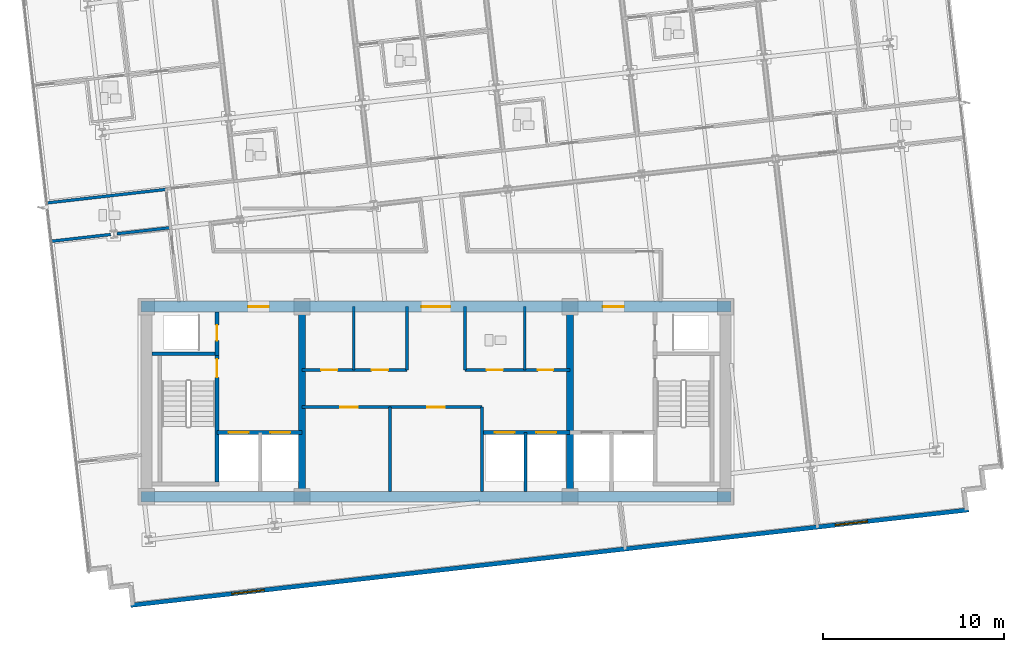
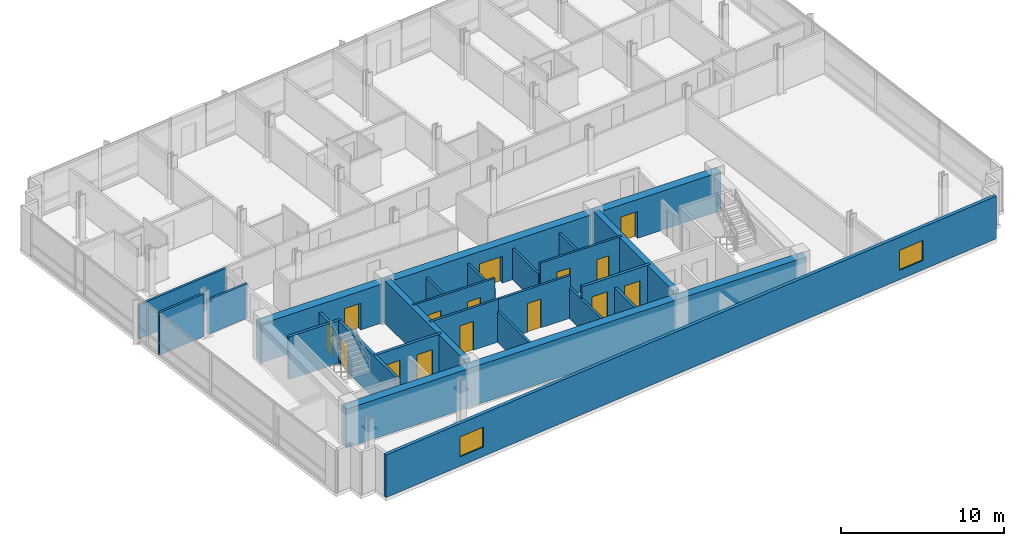
# One storey, part 8 of 17: 24 walls, 15 doors, 2 windows, 17 openings.
"""IFC4 building model written with IfcOpenShell, lengths in metres."""

from ifc_helpers import new_model, si_unit, direction, frame, frame_2d, origin, place, context, subcontext, project, spatial, rectangle, extrude, material, layer, layer_set, type_object, element, fill, save


model = new_model("IFC4")

# Units and contexts
model_context = context("Model", 3, precision=1e-05, world=origin(), true_north=direction((0.0, 1.0)))
body_context = subcontext(model_context, "Body", "Model", "MODEL_VIEW")
ifc_project = project(units=[si_unit("LENGTHUNIT", "METRE"), si_unit("AREAUNIT", "SQUARE_METRE"), si_unit("VOLUMEUNIT", "CUBIC_METRE"), si_unit("PLANEANGLEUNIT", "RADIAN"), si_unit("MASSUNIT", "GRAM", prefix="KILO")], contexts=[model_context])

# Site, building, storey
site_placement = place(None, origin())
site = spatial("IfcSite", under=ifc_project, at=site_placement, CompositionType="ELEMENT")
building_placement = place(site_placement, origin())
building = spatial("IfcBuilding", under=site, at=building_placement, Name="Solmavex Isthmus Hotel", CompositionType="ELEMENT")
storey_placement = place(building_placement, frame((0.0, 0.0, 198.60009765625)))
storey = spatial("IfcBuildingStorey", under=building, at=storey_placement, Name="L53", CompositionType="ELEMENT", Elevation=198.60009765625)

# Wall, openings, windows
ifc_material_1 = material(Name="Precast Concrete C40/50", Category="concrete")
ifc_layer_1 = layer(ifc_material_1, 0.25)
ifc_layer_set_1 = layer_set([ifc_layer_1], Name="Precast Concrete C40/50")
wall_type_1 = type_object("IfcWallType", Name="EW-TWR-250", PredefinedType="STANDARD", material=ifc_layer_set_1)
wall_1_placement = place(storey_placement, frame((-16.86962890625, -18.99951171875, 0.0), z_axis=(0.0, 0.0, 1.0), x_axis=(0.993571588328, 0.113205560228, 0.0)))
wall_1 = element("IfcWall", 1, at=wall_1_placement, inside=storey, type_object=wall_type_1, Name="Tower Rear South Facade Wall L53", PredefinedType="STANDARD", context=body_context, shape_type="SweptSolid", body=[
    extrude(rectangle(XDim=46.60009765625, YDim=0.239990234375, at=frame_2d((23.300048828125, 0.0))), origin(), (0.0, 0.0, 1.0), 3.18994140625),
])
opening_1_placement = place(wall_1_placement, frame((5.6240234375, 0.0, 0.699951171875)))
opening_1 = element("IfcOpeningElement", 2, at=opening_1_placement, cuts=wall_1, Name="Opening WN-02", PredefinedType="OPENING", context=body_context, shape_type="SweptSolid", body=[
    extrude(rectangle(XDim=1.800048828125, YDim=1.5, at=frame_2d((0.89990234375, 0.75))), frame((0.0, 0.1298828125, 0.0), z_axis=(0.0, -1.0, 0.0), x_axis=(1.0, 0.0, 0.0)), (0.0, 0.0, 1.0), 0.260009765625),
])
opening_2_placement = place(wall_1_placement, frame((39.176025390625, 0.0, 0.699951171875)))
opening_2 = element("IfcOpeningElement", 3, at=opening_2_placement, cuts=wall_1, Name="Opening WN-02", PredefinedType="OPENING", context=body_context, shape_type="SweptSolid", body=[
    extrude(rectangle(XDim=1.800048828125, YDim=1.5, at=frame_2d((0.89990234375, 0.75))), frame((0.0, 0.1298828125, 0.0), z_axis=(0.0, -1.0, 0.0), x_axis=(1.0, 0.0, 0.0)), (0.0, 0.0, 1.0), 0.260009765625),
])
ifc_material_2 = material(Name="Clear low-E laminated glass", Category="glass")
window_type = type_object("IfcWindowType", Name="WIN-TWR-1800", PartitioningType="SINGLE_PANEL", PredefinedType="WINDOW", material=ifc_material_2)
window_1_placement = place(opening_1_placement, origin())
window_1 = element("IfcWindow", 4, at=window_1_placement, inside=storey, type_object=window_type, Name="South Facade Vision Window L53-S1", OverallHeight=1.5, OverallWidth=1.800048828125, PartitioningType="SINGLE_PANEL", PredefinedType="WINDOW", context=body_context, shape_type="SweptSolid", body=[
    extrude(rectangle(XDim=1.800048828125, YDim=1.5, at=frame_2d((0.89990234375, 0.75))), frame((0.0, 0.030029296875, 0.0), z_axis=(0.0, -1.0, 0.0), x_axis=(1.0, 0.0, 0.0)), (0.0, 0.0, 1.0), 0.06005859375),
])
fill(opening_1, window_1)
window_2_placement = place(opening_2_placement, origin())
window_2 = element("IfcWindow", 5, at=window_2_placement, inside=storey, type_object=window_type, Name="South Facade Vision Window L53-S2", OverallHeight=1.5, OverallWidth=1.800048828125, PartitioningType="SINGLE_PANEL", PredefinedType="WINDOW", context=body_context, shape_type="SweptSolid", body=[
    extrude(rectangle(XDim=1.800048828125, YDim=1.5, at=frame_2d((0.89990234375, 0.75))), frame((0.0, 0.030029296875, 0.0), z_axis=(0.0, -1.0, 0.0), x_axis=(1.0, 0.0, 0.0)), (0.0, 0.0, 1.0), 0.06005859375),
])
fill(opening_2, window_2)

# Wall, opening, door
ifc_material_3 = material(Name="Gypsum plasterboard lining", Category="gypsum")
ifc_layer_2 = layer(ifc_material_3, 0.159912109375)
ifc_layer_set_2 = layer_set([ifc_layer_2], Name="Gypsum plasterboard lining")
wall_type_2 = type_object("IfcWallType", Name="IW-COMP-160", PredefinedType="PARTITIONING", material=ifc_layer_set_2)
wall_2_placement = place(storey_placement, frame((-7.39990234375, -8.050048828125, 0.0), z_axis=(0.0, 0.0, 1.0), x_axis=(1.0, 0.0, 0.0)))
wall_2 = element("IfcWall", 6, at=wall_2_placement, inside=storey, type_object=wall_type_2, Name="Interior Partition Wall W-L53-REC-PLL-N", PredefinedType="PARTITIONING", context=body_context, shape_type="SweptSolid", body=[
    extrude(rectangle(XDim=4.849853515625, YDim=0.159912109375, at=frame_2d((2.4248046875, 0.0))), origin(), (0.0, 0.0, 1.0), 3.18994140625),
])
opening_3_placement = place(wall_2_placement, frame((2.125, 0.0, 0.0)))
opening_3 = element("IfcOpeningElement", 7, at=opening_3_placement, cuts=wall_2, Name="Opening ID-C095", PredefinedType="OPENING", context=body_context, shape_type="SweptSolid", body=[
    extrude(rectangle(XDim=0.949951171875, YDim=2.14990234375, at=frame_2d((0.47509765625, 1.074951171875))), frame((0.0, 0.08984375, 0.0), z_axis=(0.0, -1.0, 0.0), x_axis=(1.0, 0.0, 0.0)), (0.0, 0.0, 1.0), 0.179931640625),
])
ifc_material_4 = material(Name="Hardwood timber", Category="wood")
door_type_1 = type_object("IfcDoorType", Name="IDR-FD60-0950", OperationType="NOTDEFINED", PredefinedType="DOOR", material=ifc_material_4)
door_1_placement = place(opening_3_placement, origin())
door_1 = element("IfcDoor", 8, at=door_1_placement, inside=storey, type_object=door_type_1, Name="Linen Reserve Door L53", OperationType="SINGLE_SWING_LEFT", OverallHeight=2.14990234375, OverallWidth=0.949951171875, PredefinedType="DOOR", context=body_context, shape_type="SweptSolid", body=[
    extrude(rectangle(XDim=0.949951171875, YDim=2.14990234375, at=frame_2d((0.47509765625, 1.074951171875))), frame((0.0, 0.02490234375, 0.0), z_axis=(0.0, -1.0, 0.0), x_axis=(1.0, 0.0, 0.0)), (0.0, 0.0, 1.0), 0.050048828125),
])
fill(opening_3, door_1)

# Wall
wall_3_placement = place(storey_placement, frame((-2.550048828125, -12.699951171875, 0.0), z_axis=(0.0, 0.0, 1.0), x_axis=(0.0, 1.0, 0.0)))
element("IfcWall", 9, at=wall_3_placement, inside=storey, type_object=wall_type_2, Name="Interior Partition Wall W-L53-REC-PLL-E", PredefinedType="PARTITIONING", context=body_context, shape_type="SweptSolid", body=[
    extrude(rectangle(XDim=4.64990234375, YDim=0.159912109375, at=frame_2d((2.324951171875, 0.0))), origin(), (0.0, 0.0, 1.0), 2.324951171875),
])

# Wall, opening, door
wall_4_placement = place(storey_placement, frame((-2.550048828125, -8.050048828125, 0.0), z_axis=(0.0, 0.0, 1.0), x_axis=(1.0, 0.0, 0.0)))
wall_4 = element("IfcWall", 10, at=wall_4_placement, inside=storey, type_object=wall_type_2, Name="Interior Partition Wall W-L53-REC-PLM-N", PredefinedType="PARTITIONING", context=body_context, shape_type="SweptSolid", body=[
    extrude(rectangle(XDim=5.10009765625, YDim=0.159912109375, at=frame_2d((2.550048828125, 0.0))), origin(), (0.0, 0.0, 1.0), 3.18994140625),
])
opening_4_placement = place(wall_4_placement, frame((2.074951171875, 0.0, 0.0)))
opening_4 = element("IfcOpeningElement", 11, at=opening_4_placement, cuts=wall_4, Name="Opening ID-C095", PredefinedType="OPENING", context=body_context, shape_type="SweptSolid", body=[
    extrude(rectangle(XDim=0.949951171875, YDim=2.14990234375, at=frame_2d((0.47509765625, 1.074951171875))), frame((0.0, 0.08984375, 0.0), z_axis=(0.0, -1.0, 0.0), x_axis=(1.0, 0.0, 0.0)), (0.0, 0.0, 1.0), 0.179931640625),
])
door_2_placement = place(opening_4_placement, origin())
door_2 = element("IfcDoor", 12, at=door_2_placement, inside=storey, type_object=door_type_1, Name="Butler Store Door L53", OperationType="SINGLE_SWING_RIGHT", OverallHeight=2.14990234375, OverallWidth=0.949951171875, PredefinedType="DOOR", context=body_context, shape_type="SweptSolid", body=[
    extrude(rectangle(XDim=0.949951171875, YDim=2.14990234375, at=frame_2d((0.47509765625, 1.074951171875))), frame((0.0, 0.02490234375, 0.0), z_axis=(0.0, -1.0, 0.0), x_axis=(1.0, 0.0, 0.0)), (0.0, 0.0, 1.0), 0.050048828125),
])
fill(opening_4, door_2)

# Walls
wall_5_placement = place(storey_placement, frame((2.550048828125, -12.699951171875, 0.0), z_axis=(0.0, 0.0, 1.0), x_axis=(0.0, 1.0, 0.0)))
element("IfcWall", 13, at=wall_5_placement, inside=storey, type_object=wall_type_2, Name="Interior Partition Wall W-L53-REC-PLM-E", PredefinedType="PARTITIONING", context=body_context, shape_type="SweptSolid", body=[
    extrude(rectangle(XDim=4.64990234375, YDim=0.159912109375, at=frame_2d((2.324951171875, 0.0))), origin(), (0.0, 0.0, 1.0), 2.324951171875),
])
wall_6_placement = place(storey_placement, frame((-14.86865234375, 3.98486328125, 0.0), z_axis=(0.0, 0.0, 1.0), x_axis=(-0.993568743641, -0.113230524415, 0.0)))
element("IfcWall", 14, at=wall_6_placement, inside=storey, type_object=wall_type_2, Name="Interior Partition Wall W-L53-P032", PredefinedType="PARTITIONING", context=body_context, shape_type="SweptSolid", body=[
    extrude(rectangle(XDim=6.7099609375, YDim=0.159912109375, at=frame_2d((3.35498046875, 0.0))), origin(), (0.0, 0.0, 1.0), 2.557373046875),
])
wall_7_placement = place(storey_placement, frame((-17.97216796875, 1.4873046875, 0.0), z_axis=(0.0, 0.0, 1.0), x_axis=(-0.993575433752, -0.113171804991, 0.0)))
element("IfcWall", 15, at=wall_7_placement, inside=storey, type_object=wall_type_2, Name="Interior Partition Wall W-L53-P080", PredefinedType="PARTITIONING", context=body_context, shape_type="SweptSolid", body=[
    extrude(rectangle(XDim=3.34375, YDim=0.159912109375, at=frame_2d((1.671875, 0.0))), origin(), (0.0, 0.0, 1.0), 3.18994140625),
])
wall_8_placement = place(storey_placement, frame((-14.62744140625, 1.868408203125, 0.0), z_axis=(0.0, 0.0, 1.0), x_axis=(-0.993574646464, -0.113178716659, 0.0)))
element("IfcWall", 16, at=wall_8_placement, inside=storey, type_object=wall_type_2, Name="Interior Partition Wall W-L53-P081", PredefinedType="PARTITIONING", context=body_context, shape_type="SweptSolid", body=[
    extrude(rectangle(XDim=3.013427734375, YDim=0.159912109375, at=frame_2d((1.5068359375, 0.0))), origin(), (0.0, 0.0, 1.0), 2.572265625),
])

# Wall, openings, doors
ifc_layer_3 = layer(ifc_material_3, 0.14990234375)
ifc_layer_set_3 = layer_set([ifc_layer_3], Name="Gypsum plasterboard lining")
wall_type_3 = type_object("IfcWallType", Name="IW-CORR-150", PredefinedType="PARTITIONING", material=ifc_layer_set_3)
wall_9_placement = place(storey_placement, frame((-7.39990234375, -6.0, 0.0), z_axis=(0.0, 0.0, 1.0), x_axis=(1.0, 0.0, 0.0)))
wall_9 = element("IfcWall", 17, at=wall_9_placement, inside=storey, type_object=wall_type_3, Name="Interior Partition Wall W-L53-BOH-WS", PredefinedType="PARTITIONING", context=body_context, shape_type="SweptSolid", body=[
    extrude(rectangle(XDim=5.7998046875, YDim=0.14990234375, at=frame_2d((2.89990234375, 0.0))), origin(), (0.0, 0.0, 1.0), 3.18994140625),
])
opening_5_placement = place(wall_9_placement, frame((1.050048828125, 0.0, 0.0)))
opening_5 = element("IfcOpeningElement", 18, at=opening_5_placement, cuts=wall_9, Name="Opening ID-C090", PredefinedType="OPENING", context=body_context, shape_type="SweptSolid", body=[
    extrude(rectangle(XDim=0.89990234375, YDim=2.10009765625, at=frame_2d((0.449951171875, 1.050048828125))), frame((0.0, 0.0849609375, 0.0), z_axis=(0.0, -1.0, 0.0), x_axis=(1.0, 0.0, 0.0)), (0.0, 0.0, 1.0), 0.169921875),
])
opening_6_placement = place(wall_9_placement, frame((3.85009765625, 0.0, 0.0)))
opening_6 = element("IfcOpeningElement", 19, at=opening_6_placement, cuts=wall_9, Name="Opening ID-C090", PredefinedType="OPENING", context=body_context, shape_type="SweptSolid", body=[
    extrude(rectangle(XDim=0.89990234375, YDim=2.10009765625, at=frame_2d((0.449951171875, 1.050048828125))), frame((0.0, 0.0849609375, 0.0), z_axis=(0.0, -1.0, 0.0), x_axis=(1.0, 0.0, 0.0)), (0.0, 0.0, 1.0), 0.169921875),
])
door_type_2 = type_object("IfcDoorType", Name="IDR-FD60-0900", OperationType="NOTDEFINED", PredefinedType="DOOR", material=ifc_material_4)
door_3_placement = place(opening_5_placement, frame((0.89990234375, 0.0, 0.0), z_axis=(0.0, 0.0, 1.0), x_axis=(-1.0, 0.0, 0.0)))
door_3 = element("IfcDoor", 20, at=door_3_placement, inside=storey, type_object=door_type_2, Name="Linen Room Door L53", OperationType="SINGLE_SWING_LEFT", OverallHeight=2.10009765625, OverallWidth=0.89990234375, PredefinedType="DOOR", context=body_context, shape_type="SweptSolid", body=[
    extrude(rectangle(XDim=0.89990234375, YDim=2.10009765625, at=frame_2d((0.449951171875, 1.050048828125))), frame((0.0, 0.02490234375, 0.0), z_axis=(0.0, -1.0, 0.0), x_axis=(1.0, 0.0, 0.0)), (0.0, 0.0, 1.0), 0.050048828125),
])
fill(opening_5, door_3)
door_4_placement = place(opening_6_placement, frame((0.89990234375, 0.0, 0.0), z_axis=(0.0, 0.0, 1.0), x_axis=(-1.0, 0.0, 0.0)))
door_4 = element("IfcDoor", 21, at=door_4_placement, inside=storey, type_object=door_type_2, Name="Ice Pantry Door L53", OperationType="SINGLE_SWING_RIGHT", OverallHeight=2.10009765625, OverallWidth=0.89990234375, PredefinedType="DOOR", context=body_context, shape_type="SweptSolid", body=[
    extrude(rectangle(XDim=0.89990234375, YDim=2.10009765625, at=frame_2d((0.449951171875, 1.050048828125))), frame((0.0, 0.02490234375, 0.0), z_axis=(0.0, -1.0, 0.0), x_axis=(1.0, 0.0, 0.0)), (0.0, 0.0, 1.0), 0.050048828125),
])
fill(opening_6, door_4)

# Wall
wall_10_placement = place(storey_placement, frame((-1.60009765625, -6.0, 0.0), z_axis=(0.0, 0.0, 1.0), x_axis=(0.0, 1.0, 0.0)))
element("IfcWall", 22, at=wall_10_placement, inside=storey, type_object=wall_type_3, Name="Interior Partition Wall W-L53-BOH-WE", PredefinedType="PARTITIONING", context=body_context, shape_type="SweptSolid", body=[
    extrude(rectangle(XDim=3.5, YDim=0.14990234375, at=frame_2d((1.75, 0.0))), origin(), (0.0, 0.0, 1.0), 2.324951171875),
])

# Wall, openings, doors
wall_11_placement = place(storey_placement, frame((1.60009765625, -6.0, 0.0), z_axis=(0.0, 0.0, 1.0), x_axis=(1.0, 0.0, 0.0)))
wall_11 = element("IfcWall", 23, at=wall_11_placement, inside=storey, type_object=wall_type_3, Name="Interior Partition Wall W-L53-BOH-ES", PredefinedType="PARTITIONING", context=body_context, shape_type="SweptSolid", body=[
    extrude(rectangle(XDim=5.7998046875, YDim=0.14990234375, at=frame_2d((2.89990234375, 0.0))), origin(), (0.0, 0.0, 1.0), 3.18994140625),
])
opening_7_placement = place(wall_11_placement, frame((1.199951171875, 0.0, 0.0)))
opening_7 = element("IfcOpeningElement", 24, at=opening_7_placement, cuts=wall_11, Name="Opening ID-C090", PredefinedType="OPENING", context=body_context, shape_type="SweptSolid", body=[
    extrude(rectangle(XDim=0.89990234375, YDim=2.10009765625, at=frame_2d((0.449951171875, 1.050048828125))), frame((0.0, 0.0849609375, 0.0), z_axis=(0.0, -1.0, 0.0), x_axis=(1.0, 0.0, 0.0)), (0.0, 0.0, 1.0), 0.169921875),
])
opening_8_placement = place(wall_11_placement, frame((4.02490234375, 0.0, 0.0)))
opening_8 = element("IfcOpeningElement", 25, at=opening_8_placement, cuts=wall_11, Name="Opening ID-R085", PredefinedType="OPENING", context=body_context, shape_type="SweptSolid", body=[
    extrude(rectangle(XDim=0.85009765625, YDim=2.050048828125, at=frame_2d((0.425048828125, 1.02490234375))), frame((0.0, 0.0849609375, 0.0), z_axis=(0.0, -1.0, 0.0), x_axis=(1.0, 0.0, 0.0)), (0.0, 0.0, 1.0), 0.169921875),
])
ifc_material_5 = material(Name="Steel ASTM A500 Grade C", Category="steel")
door_type_3 = type_object("IfcDoorType", Name="IDR-FD60-0850", OperationType="NOTDEFINED", PredefinedType="DOOR", material=ifc_material_5)
door_5_placement = place(opening_8_placement, frame((0.85009765625, 0.0, 0.0), z_axis=(0.0, 0.0, 1.0), x_axis=(-1.0, 0.0, 0.0)))
door_5 = element("IfcDoor", 26, at=door_5_placement, inside=storey, type_object=door_type_3, Name="IT Room Door L53", OperationType="SINGLE_SWING_RIGHT", OverallHeight=2.050048828125, OverallWidth=0.85009765625, PredefinedType="DOOR", context=body_context, shape_type="SweptSolid", body=[
    extrude(rectangle(XDim=0.85009765625, YDim=2.050048828125, at=frame_2d((0.425048828125, 1.02490234375))), frame((0.0, 0.02490234375, 0.0), z_axis=(0.0, -1.0, 0.0), x_axis=(1.0, 0.0, 0.0)), (0.0, 0.0, 1.0), 0.050048828125),
])
fill(opening_8, door_5)
door_6_placement = place(opening_7_placement, frame((0.89990234375, 0.0, 0.0), z_axis=(0.0, 0.0, 1.0), x_axis=(-1.0, 0.0, 0.0)))
door_6 = element("IfcDoor", 27, at=door_6_placement, inside=storey, type_object=door_type_2, Name="Staff Restroom Door L53", OperationType="SINGLE_SWING_LEFT", OverallHeight=2.10009765625, OverallWidth=0.89990234375, PredefinedType="DOOR", context=body_context, shape_type="SweptSolid", body=[
    extrude(rectangle(XDim=0.89990234375, YDim=2.10009765625, at=frame_2d((0.449951171875, 1.050048828125))), frame((0.0, 0.02490234375, 0.0), z_axis=(0.0, -1.0, 0.0), x_axis=(1.0, 0.0, 0.0)), (0.0, 0.0, 1.0), 0.050048828125),
])
fill(opening_7, door_6)

# Walls
wall_12_placement = place(storey_placement, frame((1.60009765625, -6.0, 0.0), z_axis=(0.0, 0.0, 1.0), x_axis=(0.0, 1.0, 0.0)))
element("IfcWall", 28, at=wall_12_placement, inside=storey, type_object=wall_type_3, Name="Interior Partition Wall W-L53-BOH-EW", PredefinedType="PARTITIONING", context=body_context, shape_type="SweptSolid", body=[
    extrude(rectangle(XDim=3.5, YDim=0.14990234375, at=frame_2d((1.75, 0.0))), origin(), (0.0, 0.0, 1.0), 2.324951171875),
])
ifc_layer_4 = layer(ifc_material_3, 0.1201171875)
ifc_layer_set_4 = layer_set([ifc_layer_4], Name="Gypsum plasterboard lining")
wall_type_4 = type_object("IfcWallType", Name="IW-PART-120", PredefinedType="PARTITIONING", material=ifc_layer_set_4)
for number, where, z_axis, x_axis, name in (
    (29, (-4.550048828125, -6.0, 0.0), (0.0, 0.0, 1.0), (0.0, 1.0, 0.0), "Interior Partition Wall W-L53-BOH-WM2"),
    (30, (4.89990234375, -6.0, 0.0), (0.0, 0.0, 1.0), (0.0, 1.0, 0.0), "Interior Partition Wall W-L53-BOH-EM2"),
):
    element("IfcWall", number, at=place(storey_placement, frame(where, z_axis=z_axis, x_axis=x_axis)), inside=storey, type_object=wall_type_4, Name=name, PredefinedType="PARTITIONING", context=body_context, shape_type="SweptSolid", body=[
        extrude(rectangle(XDim=3.5, YDim=0.14990234375, at=frame_2d((1.75, 0.0))), origin(), (0.0, 0.0, 1.0), 2.324951171875),
    ])
ifc_material_6 = material(Name="Concrete C40/50", Category="concrete")
ifc_layer_5 = layer(ifc_material_6, 0.179931640625)
ifc_layer_set_5 = layer_set([ifc_layer_5], Name="Concrete C40/50")
wall_type_5 = type_object("IfcWallType", Name="IW-SHAFT-180", PredefinedType="PARTITIONING", material=ifc_layer_set_5)
wall_13_placement = place(storey_placement, frame((4.949951171875, -12.699951171875, 0.0), z_axis=(0.0, 0.0, 1.0), x_axis=(0.0, 1.0, 0.0)))
element("IfcWall", 31, at=wall_13_placement, inside=storey, type_object=wall_type_5, Name="Interior Partition Wall W-L53-SH-PLH-M", PredefinedType="PARTITIONING", context=body_context, shape_type="SweptSolid", body=[
    extrude(rectangle(XDim=3.25, YDim=0.179931640625, at=frame_2d((1.625, 0.0))), origin(), (0.0, 0.0, 1.0), 2.324951171875),
])

# Wall, opening, door
ifc_layer_6 = layer(ifc_material_6, 0.199951171875)
ifc_layer_set_6 = layer_set([ifc_layer_6], Name="Concrete C40/50")
wall_type_6 = type_object("IfcWallType", Name="IW-SHAFT-200", PredefinedType="PARTITIONING", material=ifc_layer_set_6)
wall_14_placement = place(storey_placement, frame((-12.10009765625, -5.199951171875, 0.0), z_axis=(0.0, 0.0, 1.0), x_axis=(0.0, 1.0, 0.0)))
wall_14 = element("IfcWall", 32, at=wall_14_placement, inside=storey, type_object=wall_type_6, Name="Interior Partition Wall W-L53-RSW-E", PredefinedType="PARTITIONING", context=body_context, shape_type="SweptSolid", body=[
    extrude(rectangle(XDim=2.39990234375, YDim=0.199951171875, at=frame_2d((1.199951171875, 0.0))), origin(), (0.0, 0.0, 1.0), 2.324951171875),
])
opening_9_placement = place(wall_14_placement, frame((0.824951171875, 0.0, 0.0)))
opening_9 = element("IfcOpeningElement", 33, at=opening_9_placement, cuts=wall_14, Name="Opening ID-R085", PredefinedType="OPENING", context=body_context, shape_type="SweptSolid", body=[
    extrude(rectangle(XDim=0.85009765625, YDim=2.050048828125, at=frame_2d((0.425048828125, 1.02490234375))), frame((0.0, 0.10986328125, 0.0), z_axis=(0.0, -1.0, 0.0), x_axis=(1.0, 0.0, 0.0)), (0.0, 0.0, 1.0), 0.219970703125),
])
door_7_placement = place(opening_9_placement, origin())
door_7 = element("IfcDoor", 34, at=door_7_placement, inside=storey, type_object=door_type_3, Name="Electrical Riser Door L53", OperationType="SINGLE_SWING_RIGHT", OverallHeight=2.050048828125, OverallWidth=0.85009765625, PredefinedType="DOOR", context=body_context, shape_type="SweptSolid", body=[
    extrude(rectangle(XDim=0.85009765625, YDim=2.050048828125, at=frame_2d((0.425048828125, 1.02490234375))), frame((0.0, 0.02490234375, 0.0), z_axis=(0.0, -1.0, 0.0), x_axis=(1.0, 0.0, 0.0)), (0.0, 0.0, 1.0), 0.050048828125),
])
fill(opening_9, door_7)

# Wall, openings, doors
wall_15_placement = place(storey_placement, frame((-12.10009765625, -9.449951171875, 0.0), z_axis=(0.0, 0.0, 1.0), x_axis=(1.0, 0.0, 0.0)))
wall_15 = element("IfcWall", 35, at=wall_15_placement, inside=storey, type_object=wall_type_6, Name="Interior Partition Wall W-L53-FFLW-S", PredefinedType="PARTITIONING", context=body_context, shape_type="SweptSolid", body=[
    extrude(rectangle(XDim=4.7001953125, YDim=0.199951171875, at=frame_2d((2.35009765625, 0.0))), origin(), (0.0, 0.0, 1.0), 3.18994140625),
])
opening_10_placement = place(wall_15_placement, frame((0.64990234375, 0.0, 0.0)))
opening_10 = element("IfcOpeningElement", 36, at=opening_10_placement, cuts=wall_15, Name="Opening LD-FF", PredefinedType="OPENING", context=body_context, shape_type="SweptSolid", body=[
    extrude(rectangle(XDim=1.10009765625, YDim=2.199951171875, at=frame_2d((0.550048828125, 1.10009765625))), frame((0.0, 0.10986328125, 0.0), z_axis=(0.0, -1.0, 0.0), x_axis=(1.0, 0.0, 0.0)), (0.0, 0.0, 1.0), 0.219970703125),
])
opening_11_placement = place(wall_15_placement, frame((2.949951171875, 0.0, 0.0)))
opening_11 = element("IfcOpeningElement", 37, at=opening_11_placement, cuts=wall_15, Name="Opening LD-SV", PredefinedType="OPENING", context=body_context, shape_type="SweptSolid", body=[
    extrude(rectangle(XDim=1.10009765625, YDim=2.199951171875, at=frame_2d((0.550048828125, 1.10009765625))), frame((0.0, 0.10986328125, 0.0), z_axis=(0.0, -1.0, 0.0), x_axis=(1.0, 0.0, 0.0)), (0.0, 0.0, 1.0), 0.219970703125),
])
ifc_material_7 = material(Name="Stainless steel 316", Category="steel")
door_type_4 = type_object("IfcDoorType", Name="LDR-FF-1100", OperationType="NOTDEFINED", PredefinedType="DOOR", material=ifc_material_7)
door_8_placement = place(opening_10_placement, origin())
door_8 = element("IfcDoor", 38, at=door_8_placement, inside=storey, type_object=door_type_4, Name="Lift Landing Door FFL-1 L53", OperationType="SLIDING_TO_LEFT", OverallHeight=2.199951171875, OverallWidth=1.10009765625, PredefinedType="DOOR", context=body_context, shape_type="SweptSolid", body=[
    extrude(rectangle(XDim=1.10009765625, YDim=2.199951171875, at=frame_2d((0.550048828125, 1.10009765625))), frame((0.0, 0.02490234375, 0.0), z_axis=(0.0, -1.0, 0.0), x_axis=(1.0, 0.0, 0.0)), (0.0, 0.0, 1.0), 0.050048828125),
])
fill(opening_10, door_8)
door_type_5 = type_object("IfcDoorType", Name="LDR-SV-1100", OperationType="NOTDEFINED", PredefinedType="DOOR", material=ifc_material_7)
door_9_placement = place(opening_11_placement, origin())
door_9 = element("IfcDoor", 39, at=door_9_placement, inside=storey, type_object=door_type_5, Name="Lift Landing Door SVL-1 L53", OperationType="SLIDING_TO_RIGHT", OverallHeight=2.199951171875, OverallWidth=1.10009765625, PredefinedType="DOOR", context=body_context, shape_type="SweptSolid", body=[
    extrude(rectangle(XDim=1.10009765625, YDim=2.199951171875, at=frame_2d((0.550048828125, 1.10009765625))), frame((0.0, 0.02490234375, 0.0), z_axis=(0.0, -1.0, 0.0), x_axis=(1.0, 0.0, 0.0)), (0.0, 0.0, 1.0), 0.050048828125),
])
fill(opening_11, door_9)

wall_16_placement = place(storey_placement, frame((2.550048828125, -9.449951171875, 0.0), z_axis=(0.0, 0.0, 1.0), x_axis=(1.0, 0.0, 0.0)))
wall_16 = element("IfcWall", 40, at=wall_16_placement, inside=storey, type_object=wall_type_6, Name="Interior Partition Wall W-L53-SH-PLH", PredefinedType="PARTITIONING", context=body_context, shape_type="SweptSolid", body=[
    extrude(rectangle(XDim=4.849853515625, YDim=0.199951171875, at=frame_2d((2.4248046875, 0.0))), origin(), (0.0, 0.0, 1.0), 3.18994140625),
])
opening_12_placement = place(wall_16_placement, frame((0.699951171875, 0.0, 0.0)))
opening_12 = element("IfcOpeningElement", 41, at=opening_12_placement, cuts=wall_16, Name="Opening LD-PL", PredefinedType="OPENING", context=body_context, shape_type="SweptSolid", body=[
    extrude(rectangle(XDim=1.10009765625, YDim=2.199951171875, at=frame_2d((0.550048828125, 1.10009765625))), frame((0.0, 0.10986328125, 0.0), z_axis=(0.0, -1.0, 0.0), x_axis=(1.0, 0.0, 0.0)), (0.0, 0.0, 1.0), 0.219970703125),
])
opening_13_placement = place(wall_16_placement, frame((3.0, 0.0, 0.0)))
opening_13 = element("IfcOpeningElement", 42, at=opening_13_placement, cuts=wall_16, Name="Opening LD-PL", PredefinedType="OPENING", context=body_context, shape_type="SweptSolid", body=[
    extrude(rectangle(XDim=1.10009765625, YDim=2.199951171875, at=frame_2d((0.550048828125, 1.10009765625))), frame((0.0, 0.10986328125, 0.0), z_axis=(0.0, -1.0, 0.0), x_axis=(1.0, 0.0, 0.0)), (0.0, 0.0, 1.0), 0.219970703125),
])
door_type_6 = type_object("IfcDoorType", Name="LDR-PL-1100", OperationType="NOTDEFINED", PredefinedType="DOOR", material=ifc_material_7)
door_10_placement = place(opening_12_placement, origin())
door_10 = element("IfcDoor", 43, at=door_10_placement, inside=storey, type_object=door_type_6, Name="Lift Landing Door PLH1 L53", OperationType="SLIDING_TO_LEFT", OverallHeight=2.199951171875, OverallWidth=1.10009765625, PredefinedType="DOOR", context=body_context, shape_type="SweptSolid", body=[
    extrude(rectangle(XDim=1.10009765625, YDim=2.199951171875, at=frame_2d((0.550048828125, 1.10009765625))), frame((0.0, 0.02490234375, 0.0), z_axis=(0.0, -1.0, 0.0), x_axis=(1.0, 0.0, 0.0)), (0.0, 0.0, 1.0), 0.050048828125),
])
fill(opening_12, door_10)
door_11_placement = place(opening_13_placement, origin())
door_11 = element("IfcDoor", 44, at=door_11_placement, inside=storey, type_object=door_type_6, Name="Lift Landing Door PLH2 L53", OperationType="SLIDING_TO_LEFT", OverallHeight=2.199951171875, OverallWidth=1.10009765625, PredefinedType="DOOR", context=body_context, shape_type="SweptSolid", body=[
    extrude(rectangle(XDim=1.10009765625, YDim=2.199951171875, at=frame_2d((0.550048828125, 1.10009765625))), frame((0.0, 0.02490234375, 0.0), z_axis=(0.0, -1.0, 0.0), x_axis=(1.0, 0.0, 0.0)), (0.0, 0.0, 1.0), 0.050048828125),
])
fill(opening_13, door_11)

# Walls
ifc_material_8 = material(Name="Concrete C50/60", Category="concrete")
ifc_layer_7 = layer(ifc_material_8, 0.39990234375)
ifc_layer_set_7 = layer_set([ifc_layer_7], Name="Concrete C50/60")
wall_type_7 = type_object("IfcWallType", Name="WALL-CW-400H", PredefinedType="SHEAR", material=ifc_layer_set_7)
for number, where, z_axis, x_axis, name in (
    (45, (-7.39990234375, -12.699951171875, 0.0), (0.0, 0.0, 1.0), (0.0, 1.0, 0.0), "Core Cross Shear Wall C1 L53"),
    (46, (7.39990234375, -12.699951171875, 0.0), (0.0, 0.0, 1.0), (0.0, 1.0, 0.0), "Core Cross Shear Wall C2 L53"),
):
    element("IfcWall", number, at=place(storey_placement, frame(where, z_axis=z_axis, x_axis=x_axis)), inside=storey, type_object=wall_type_7, Name=name, PredefinedType="SHEAR", context=body_context, shape_type="SweptSolid", body=[
        extrude(rectangle(XDim=9.89990234375, YDim=0.39990234375, at=frame_2d((4.949951171875, 0.0))), origin(), (0.0, 0.0, 1.0), 3.18994140625),
    ])
ifc_layer_8 = layer(ifc_material_8, 0.60009765625)
ifc_layer_set_8 = layer_set([ifc_layer_8], Name="Concrete C50/60")
wall_type_8 = type_object("IfcWallType", Name="WALL-CW-600", PredefinedType="SHEAR", material=ifc_layer_set_8)
wall_17_placement = place(storey_placement, frame((-16.300048828125, -13.0, 0.0), z_axis=(0.0, 0.0, 1.0), x_axis=(1.0, 0.0, 0.0)))
element("IfcWall", 47, at=wall_17_placement, inside=storey, type_object=wall_type_8, Name="Core Shear Wall South L53", PredefinedType="SHEAR", context=body_context, shape_type="SweptSolid", body=[
    extrude(rectangle(XDim=32.60009765625, YDim=0.60009765625, at=frame_2d((16.300048828125, 0.0))), origin(), (0.0, 0.0, 1.0), 2.909912109375),
])

# Wall, openings, doors
wall_18_placement = place(storey_placement, frame((-16.300048828125, -2.5, 0.0), z_axis=(0.0, 0.0, 1.0), x_axis=(1.0, 0.0, 0.0)))
wall_18 = element("IfcWall", 48, at=wall_18_placement, inside=storey, type_object=wall_type_8, Name="Core Shear Wall North L53", PredefinedType="SHEAR", context=body_context, shape_type="SweptSolid", body=[
    extrude(rectangle(XDim=32.60009765625, YDim=0.60009765625, at=frame_2d((16.300048828125, 0.0))), origin(), (0.0, 0.0, 1.0), 2.909912109375),
])
opening_14_placement = place(wall_18_placement, frame((5.925048828125, 0.0, 0.0)))
opening_14 = element("IfcOpeningElement", 49, at=opening_14_placement, cuts=wall_18, Name="Opening ID-F915", PredefinedType="OPENING", context=body_context, shape_type="SweptSolid", body=[
    extrude(rectangle(XDim=1.14990234375, YDim=2.0, at=frame_2d((0.574951171875, 1.0))), frame((0.0, 0.31005859375, 0.0), z_axis=(0.0, -1.0, 0.0), x_axis=(1.0, 0.0, 0.0)), (0.0, 0.0, 1.0), 0.6201171875),
])
opening_15_placement = place(wall_18_placement, frame((15.5, 0.0, 0.0)))
opening_15 = element("IfcOpeningElement", 50, at=opening_15_placement, cuts=wall_18, Name="Opening ID-F960", PredefinedType="OPENING", context=body_context, shape_type="SweptSolid", body=[
    extrude(rectangle(XDim=1.60009765625, YDim=2.0, at=frame_2d((0.800048828125, 1.0))), frame((0.0, 0.31005859375, 0.0), z_axis=(0.0, -1.0, 0.0), x_axis=(1.0, 0.0, 0.0)), (0.0, 0.0, 1.0), 0.6201171875),
])
opening_16_placement = place(wall_18_placement, frame((25.52490234375, 0.0, 0.0)))
opening_16 = element("IfcOpeningElement", 51, at=opening_16_placement, cuts=wall_18, Name="Opening ID-F915", PredefinedType="OPENING", context=body_context, shape_type="SweptSolid", body=[
    extrude(rectangle(XDim=1.14990234375, YDim=2.0, at=frame_2d((0.574951171875, 1.0))), frame((0.0, 0.31005859375, 0.0), z_axis=(0.0, -1.0, 0.0), x_axis=(1.0, 0.0, 0.0)), (0.0, 0.0, 1.0), 0.6201171875),
])
door_type_7 = type_object("IfcDoorType", Name="IDR-FD90-1150C", OperationType="NOTDEFINED", PredefinedType="DOOR", material=ifc_material_5)
door_12_placement = place(opening_14_placement, origin())
door_12 = element("IfcDoor", 52, at=door_12_placement, inside=storey, type_object=door_type_7, Name="Firefighting Lobby West Exit Door L53", OperationType="SINGLE_SWING_LEFT", OverallHeight=2.0, OverallWidth=1.14990234375, PredefinedType="DOOR", context=body_context, shape_type="SweptSolid", body=[
    extrude(rectangle(XDim=1.14990234375, YDim=2.0, at=frame_2d((0.574951171875, 1.0))), frame((0.0, 0.02490234375, 0.0), z_axis=(0.0, -1.0, 0.0), x_axis=(1.0, 0.0, 0.0)), (0.0, 0.0, 1.0), 0.050048828125),
])
fill(opening_14, door_12)
door_13_placement = place(opening_16_placement, origin())
door_13 = element("IfcDoor", 53, at=door_13_placement, inside=storey, type_object=door_type_7, Name="Firefighting Lobby East Exit Door L53", OperationType="SINGLE_SWING_RIGHT", OverallHeight=2.0, OverallWidth=1.14990234375, PredefinedType="DOOR", context=body_context, shape_type="SweptSolid", body=[
    extrude(rectangle(XDim=1.14990234375, YDim=2.0, at=frame_2d((0.574951171875, 1.0))), frame((0.0, 0.02490234375, 0.0), z_axis=(0.0, -1.0, 0.0), x_axis=(1.0, 0.0, 0.0)), (0.0, 0.0, 1.0), 0.050048828125),
])
fill(opening_16, door_13)
door_type_8 = type_object("IfcDoorType", Name="IDR-FD90-1600C", OperationType="NOTDEFINED", PredefinedType="DOOR", material=ifc_material_5)
door_14_placement = place(opening_15_placement, origin())
door_14 = element("IfcDoor", 54, at=door_14_placement, inside=storey, type_object=door_type_8, Name="Central Lift Lobby Door L53", OperationType="DOUBLE_DOOR_SINGLE_SWING", OverallHeight=2.0, OverallWidth=1.60009765625, PredefinedType="DOOR", context=body_context, shape_type="SweptSolid", body=[
    extrude(rectangle(XDim=1.60009765625, YDim=2.0, at=frame_2d((0.800048828125, 1.0))), frame((0.0, 0.02490234375, 0.0), z_axis=(0.0, -1.0, 0.0), x_axis=(1.0, 0.0, 0.0)), (0.0, 0.0, 1.0), 0.050048828125),
])
fill(opening_15, door_14)

# Wall
ifc_layer_9 = layer(ifc_material_6, 0.199951171875)
ifc_layer_set_9 = layer_set([ifc_layer_9], Name="Concrete C40/50")
wall_type_9 = type_object("IfcWallType", Name="WALL-SW-200", PredefinedType="SOLIDWALL", material=ifc_layer_set_9)
wall_19_placement = place(storey_placement, frame((-15.699951171875, -5.10009765625, 0.0), z_axis=(0.0, 0.0, 1.0), x_axis=(1.0, 0.0, 0.0)))
element("IfcWall", 55, at=wall_19_placement, inside=storey, type_object=wall_type_9, Name="Stairwell Structural Wall SW-L53-ST1-N", PredefinedType="SOLIDWALL", context=body_context, shape_type="SweptSolid", body=[
    extrude(rectangle(XDim=3.699951171875, YDim=0.199951171875, at=frame_2d((1.85009765625, 0.0))), origin(), (0.0, 0.0, 1.0), 3.18994140625),
])

# Wall, opening, door
wall_20_placement = place(storey_placement, frame((-12.10009765625, -12.199951171875, 0.0), z_axis=(0.0, 0.0, 1.0), x_axis=(0.0, 1.0, 0.0)))
wall_20 = element("IfcWall", 56, at=wall_20_placement, inside=storey, type_object=wall_type_9, Name="Stairwell Structural Wall SW-L53-ST1-E", PredefinedType="SOLIDWALL", context=body_context, shape_type="SweptSolid", body=[
    extrude(rectangle(XDim=7.0, YDim=0.199951171875, at=frame_2d((3.5, 0.0))), origin(), (0.0, 0.0, 1.0), 3.18994140625),
])
opening_17_placement = place(wall_20_placement, frame((5.800048828125, 0.0, 0.0)))
opening_17 = element("IfcOpeningElement", 57, at=opening_17_placement, cuts=wall_20, Name="Opening ID-F100", PredefinedType="OPENING", context=body_context, shape_type="SweptSolid", body=[
    extrude(rectangle(XDim=1.0, YDim=2.10009765625, at=frame_2d((0.5, 1.050048828125))), frame((0.0, 0.10986328125, 0.0), z_axis=(0.0, -1.0, 0.0), x_axis=(1.0, 0.0, 0.0)), (0.0, 0.0, 1.0), 0.219970703125),
])
door_type_9 = type_object("IfcDoorType", Name="IDR-FD90-1000", OperationType="NOTDEFINED", PredefinedType="DOOR", material=ifc_material_5)
door_15_placement = place(opening_17_placement, frame((1.0, 0.0, 0.0), z_axis=(0.0, 0.0, 1.0), x_axis=(-1.0, 0.0, 0.0)))
door_15 = element("IfcDoor", 58, at=door_15_placement, inside=storey, type_object=door_type_9, Name="Stair ST-1 Fire Door L53", OperationType="SINGLE_SWING_LEFT", OverallHeight=2.10009765625, OverallWidth=1.0, PredefinedType="DOOR", context=body_context, shape_type="SweptSolid", body=[
    extrude(rectangle(XDim=1.0, YDim=2.10009765625, at=frame_2d((0.5, 1.050048828125))), frame((0.0, 0.02490234375, 0.0), z_axis=(0.0, -1.0, 0.0), x_axis=(1.0, 0.0, 0.0)), (0.0, 0.0, 1.0), 0.050048828125),
])
fill(opening_17, door_15)

save(model, "model.ifc")
